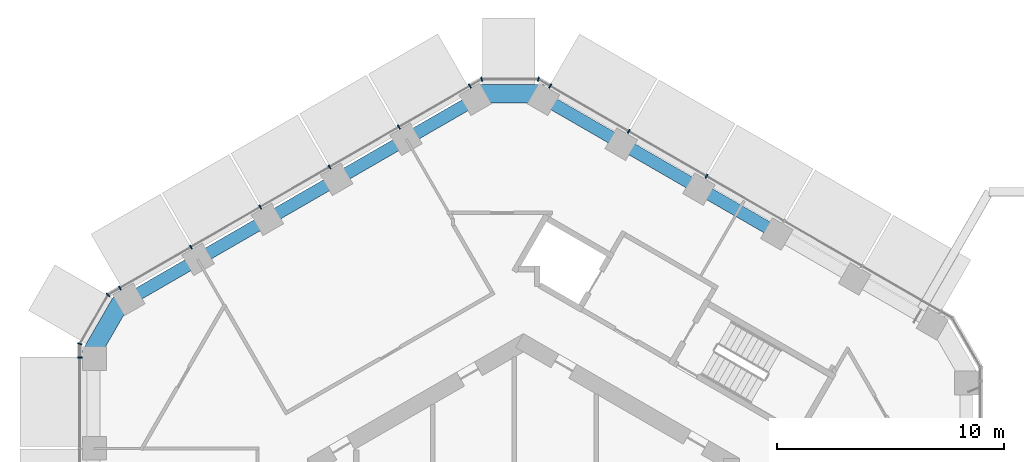
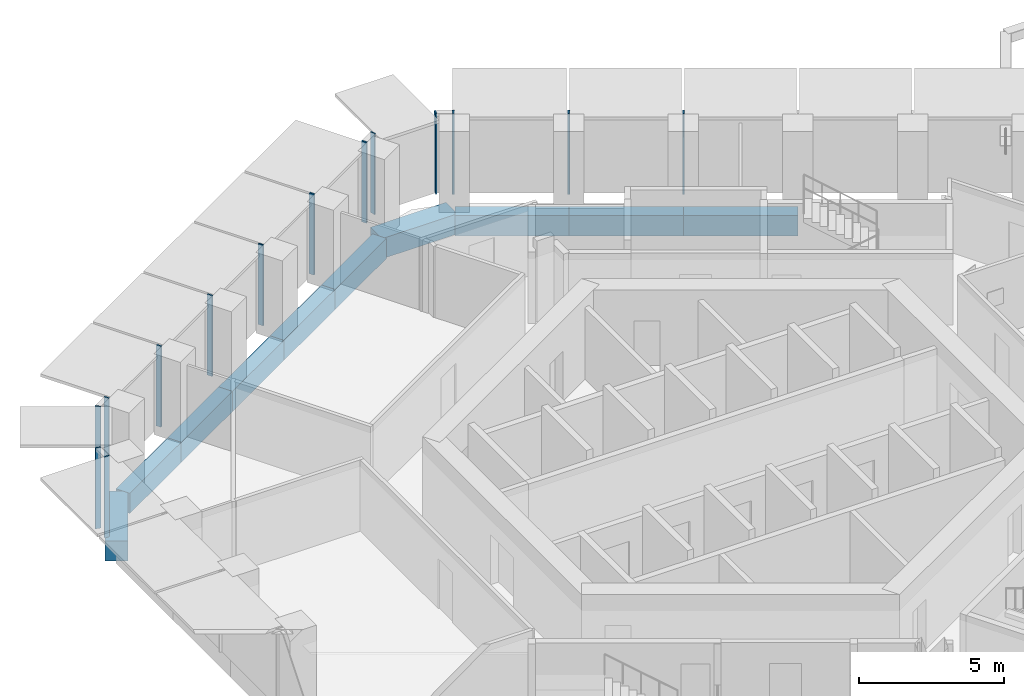
# One storey, part 6 of 21: 14 members, 10 beams, 5 elements without a shape of their own.
"""IFC4 building model written with IfcOpenShell, lengths in metres."""

from ifc_helpers import new_model, si_unit, direction, frame, origin, origin_2d, place, context, subcontext, project, spatial, rectangle, extrude, material, layer, layer_set, material_profile, profile_set, type_object, element, aggregate, save


model = new_model("IFC4")

# Units and contexts
model_context = context("Model", 3, precision=1e-05, world=origin(), true_north=direction((0.0, 1.0)))
body_context = subcontext(model_context, "Body", "Model", "MODEL_VIEW")
ifc_project = project(units=[si_unit("LENGTHUNIT", "METRE"), si_unit("AREAUNIT", "SQUARE_METRE"), si_unit("VOLUMEUNIT", "CUBIC_METRE"), si_unit("PLANEANGLEUNIT", "RADIAN"), si_unit("MASSUNIT", "GRAM", prefix="KILO")], contexts=[model_context])

# Site, building, storey
site_placement = place(None, origin())
site = spatial("IfcSite", under=ifc_project, at=site_placement, CompositionType="ELEMENT")
building_placement = place(site_placement, origin())
building = spatial("IfcBuilding", under=site, at=building_placement, Name="Ayvan Gate Tower", CompositionType="ELEMENT")
storey_placement = place(building_placement, frame((0.0, 0.0, 117.10009765625)))
storey = spatial("IfcBuildingStorey", under=building, at=storey_placement, Name="L31", CompositionType="ELEMENT", Elevation=117.10009765625)

# Beams
ifc_material_1 = material(Name="Concrete C40/50", Category="concrete")
ifc_material_profile_1 = material_profile(ifc_material_1, rectangle(XDim=0.800048828125, YDim=0.85009765625, at=origin_2d()), Name="RC 800x850")
ifc_profile_set_1 = profile_set([ifc_material_profile_1], Name="Concrete C40/50")
beam_type_1 = type_object("IfcBeamType", Name="Corner spandrel beam RC 800x850 C40/50", PredefinedType="BEAM", material=ifc_profile_set_1)
beam_1_placement = place(storey_placement, frame((0.920166015625, 21.51904296875, -0.775146484375), z_axis=(-1.0, 0.0, 0.0), x_axis=(0.0, -1.0, 0.0)))
element("IfcBeam", 1, at=beam_1_placement, inside=storey, type_object=beam_type_1, Name="SB-L31-12", PredefinedType="BEAM", context=body_context, shape_type="SweptSolid", body=[
    extrude(rectangle(XDim=0.800048828125, YDim=0.85009765625, at=origin_2d()), origin(), (0.0, 0.0, 1.0), 3.0),
])
beam_2_placement = place(storey_placement, frame((-17.59619140625, 12.560791015625, -0.775146484375), z_axis=(-0.50002537861, -0.866010750942, 0.0), x_axis=(0.866010750942, -0.50002537861, 0.0)))
element("IfcBeam", 2, at=beam_2_placement, inside=storey, type_object=beam_type_1, Name="SB-L31-18", PredefinedType="BEAM", context=body_context, shape_type="SweptSolid", body=[
    extrude(rectangle(XDim=0.800048828125, YDim=0.85009765625, at=origin_2d()), origin(), (0.0, 0.0, 1.0), 2.999755859375),
])
ifc_material_profile_2 = material_profile(ifc_material_1, rectangle(XDim=0.550048828125, YDim=0.85009765625, at=origin_2d()), Name="RC 550x850")
ifc_profile_set_2 = profile_set([ifc_material_profile_2], Name="Concrete C40/50")
beam_type_2 = type_object("IfcBeamType", Name="Spandrel beam RC 550x850 C40/50", PredefinedType="BEAM", material=ifc_profile_set_2)
for number, where, z_axis, x_axis, name in (
    (3, (11.159423828125, 15.387451171875, -0.775146484375), (-0.866034973562, 0.499983424293, 0.0), (-0.499983424293, -0.866034973562, 0.0), "SB-L31-9"),
    (4, (7.746337890625, 17.35791015625, -0.775146484375), (-0.866008149408, 0.500029884265, 0.0), (-0.500029884265, -0.866008149408, 0.0), "SB-L31-10"),
    (5, (4.333251953125, 19.32861328125, -0.775146484375), (-0.866034973562, 0.499983424293, 0.0), (-0.499983424293, -0.866034973562, 0.0), "SB-L31-11"),
):
    element("IfcBeam", number, at=place(storey_placement, frame(where, z_axis=z_axis, x_axis=x_axis)), inside=storey, type_object=beam_type_2, Name=name, PredefinedType="BEAM", context=body_context, shape_type="SweptSolid", body=[
        extrude(rectangle(XDim=0.550048828125, YDim=0.85009765625, at=origin_2d()), origin(), (0.0, 0.0, 1.0), 3.941162109375),
    ])
for number, where, z_axis, x_axis, name in (
    (6, (-2.079833984375, 21.299072265625, -0.775146484375), (-0.866044299327, -0.499967270532, 0.0), (0.499967270532, -0.866044299327, 0.0), "SB-L31-13"),
    (7, (-5.14501953125, 19.529541015625, -0.775146484375), (-0.866014430886, -0.500019005137, 0.0), (0.500019005137, -0.866014430886, 0.0), "SB-L31-14"),
    (8, (-8.210205078125, 17.759765625, -0.775146484375), (-0.866044299327, -0.499967270532, 0.0), (0.499967270532, -0.866044299327, 0.0), "SB-L31-15"),
    (9, (-11.275390625, 15.990234375, -0.775146484375), (-0.866014430886, -0.500019005137, 0.0), (0.500019005137, -0.866014430886, 0.0), "SB-L31-16"),
):
    element("IfcBeam", number, at=place(storey_placement, frame(where, z_axis=z_axis, x_axis=x_axis)), inside=storey, type_object=beam_type_2, Name=name, PredefinedType="BEAM", context=body_context, shape_type="SweptSolid", body=[
        extrude(rectangle(XDim=0.550048828125, YDim=0.85009765625, at=origin_2d()), origin(), (0.0, 0.0, 1.0), 3.539306640625),
    ])
beam_3_placement = place(storey_placement, frame((-14.340576171875, 14.220458984375, -0.775146484375), z_axis=(-0.866027055032, -0.499997139945, 0.0), x_axis=(0.499997139945, -0.866027055032, 0.0)))
element("IfcBeam", 10, at=beam_3_placement, inside=storey, type_object=beam_type_2, Name="SB-L31-17", PredefinedType="BEAM", context=body_context, shape_type="SweptSolid", body=[
    extrude(rectangle(XDim=0.550048828125, YDim=0.85009765625, at=origin_2d()), origin(), (0.0, 0.0, 1.0), 3.5390625),
])

# Curtain wall, members
ifc_material_2 = material(Name="Bronze anodised aluminium", Category="aluminium")
ifc_layer_1 = layer(ifc_material_2, 0.199951171875)
ifc_layer_set_1 = layer_set([ifc_layer_1], Name="Bronze anodised aluminium")
curtain_wall_type_1 = type_object("IfcCurtainWallType", Name="Stick curtain wall CW-1", PredefinedType="NOTDEFINED", material=ifc_layer_set_1)
curtain_wall_1_placement = place(storey_placement, origin())
curtain_wall_1 = element("IfcCurtainWall", 11, at=curtain_wall_1_placement, inside=storey, type_object=curtain_wall_type_1, Name="Stick curtain wall CW-1 L31", PredefinedType="NOTDEFINED")
ifc_material_profile_3 = material_profile(ifc_material_2, rectangle(XDim=0.199951171875, YDim=0.06005859375, at=origin_2d()), Name="Stick curtain wall CW-1 mullion 200 x 60")
ifc_profile_set_3 = profile_set([ifc_material_profile_3], Name="Bronze anodised aluminium")
member_type_1 = type_object("IfcMemberType", Name="Stick curtain wall CW-1 mullion 200 x 60", PredefinedType="MULLION", material=ifc_profile_set_3)
member_1_placement = place(storey_placement, frame((-2.360595703125, 21.858642578125, 0.0), z_axis=(0.0, 0.0, 1.0), x_axis=(-0.5, 0.866025403784, 0.0)))
member_1 = element("IfcMember", 12, at=member_1_placement, type_object=member_type_1, Name="CW-1 mullion 1", PredefinedType="MULLION", context=body_context, shape_type="SweptSolid", body=[
    extrude(rectangle(XDim=0.199951171875, YDim=0.06005859375, at=origin_2d()), origin(), (0.0, 0.0, 1.0), 3.39990234375),
])
member_2_placement = place(storey_placement, frame((-5.483642578125, 20.0556640625, 0.0), z_axis=(0.0, 0.0, 1.0), x_axis=(-0.5, 0.866025403784, 0.0)))
member_2 = element("IfcMember", 13, at=member_2_placement, type_object=member_type_1, Name="CW-1 mullion 2", PredefinedType="MULLION", context=body_context, shape_type="SweptSolid", body=[
    extrude(rectangle(XDim=0.199951171875, YDim=0.06005859375, at=origin_2d()), origin(), (0.0, 0.0, 1.0), 3.39990234375),
])
member_3_placement = place(storey_placement, frame((-8.531005859375, 18.296142578125, 0.0), z_axis=(0.0, 0.0, 1.0), x_axis=(-0.5, 0.866025403784, 0.0)))
member_3 = element("IfcMember", 14, at=member_3_placement, type_object=member_type_1, Name="CW-1 mullion 3", PredefinedType="MULLION", context=body_context, shape_type="SweptSolid", body=[
    extrude(rectangle(XDim=0.199951171875, YDim=0.06005859375, at=origin_2d()), origin(), (0.0, 0.0, 1.0), 3.39990234375),
])
member_4_placement = place(storey_placement, frame((-11.57958984375, 16.5361328125, 0.0), z_axis=(0.0, 0.0, 1.0), x_axis=(-0.5, 0.866025403784, 0.0)))
member_4 = element("IfcMember", 15, at=member_4_placement, type_object=member_type_1, Name="CW-1 mullion 4", PredefinedType="MULLION", context=body_context, shape_type="SweptSolid", body=[
    extrude(rectangle(XDim=0.199951171875, YDim=0.06005859375, at=origin_2d()), origin(), (0.0, 0.0, 1.0), 3.39990234375),
])
member_5_placement = place(storey_placement, frame((-14.627197265625, 14.77685546875, 0.0), z_axis=(0.0, 0.0, 1.0), x_axis=(-0.5, 0.866025403784, 0.0)))
member_5 = element("IfcMember", 16, at=member_5_placement, type_object=member_type_1, Name="CW-1 mullion 5", PredefinedType="MULLION", context=body_context, shape_type="SweptSolid", body=[
    extrude(rectangle(XDim=0.199951171875, YDim=0.06005859375, at=origin_2d()), origin(), (0.0, 0.0, 1.0), 3.39990234375),
])
member_6_placement = place(storey_placement, frame((-17.749755859375, 12.973876953125, 0.0), z_axis=(0.0, 0.0, 1.0), x_axis=(-0.5, 0.866025403784, 0.0)))
member_6 = element("IfcMember", 17, at=member_6_placement, type_object=member_type_1, Name="CW-1 mullion 6", PredefinedType="MULLION", context=body_context, shape_type="SweptSolid", body=[
    extrude(rectangle(XDim=0.199951171875, YDim=0.06005859375, at=origin_2d()), origin(), (0.0, 0.0, 1.0), 3.39990234375),
])
aggregate(curtain_wall_1, [member_1, member_2, member_3, member_4, member_5, member_6])

# Curtain wall, member
curtain_wall_2_placement = place(storey_placement, origin())
curtain_wall_2 = element("IfcCurtainWall", 18, at=curtain_wall_2_placement, inside=storey, type_object=curtain_wall_type_1, Name="Stick curtain wall CW-1 L31", PredefinedType="NOTDEFINED")
member_7_placement = place(storey_placement, frame((-19.51708984375, 9.912841796875, 0.0), z_axis=(0.0, 0.0, 1.0), x_axis=(-1.0, 0.0, 0.0)))
member_7 = element("IfcMember", 19, at=member_7_placement, type_object=member_type_1, Name="CW-1 mullion 1", PredefinedType="MULLION", context=body_context, shape_type="SweptSolid", body=[
    extrude(rectangle(XDim=0.199951171875, YDim=0.06005859375, at=origin_2d()), origin(), (0.0, 0.0, 1.0), 3.39990234375),
])
aggregate(curtain_wall_2, [member_7])

# Curtain wall, members
curtain_wall_3_placement = place(storey_placement, origin())
curtain_wall_3 = element("IfcCurtainWall", 20, at=curtain_wall_3_placement, inside=storey, type_object=curtain_wall_type_1, Name="Stick curtain wall CW-1 L31", PredefinedType="NOTDEFINED")
member_8_placement = place(storey_placement, frame((8.048095703125, 17.889892578125, 0.0), z_axis=(0.0, 0.0, 1.0), x_axis=(0.5, 0.866025403784, 0.0)))
member_8 = element("IfcMember", 21, at=member_8_placement, type_object=member_type_1, Name="CW-1 mullion 4", PredefinedType="MULLION", context=body_context, shape_type="SweptSolid", body=[
    extrude(rectangle(XDim=0.199951171875, YDim=0.06005859375, at=origin_2d()), origin(), (0.0, 0.0, 1.0), 3.39990234375),
])
member_9_placement = place(storey_placement, frame((4.62548828125, 19.865966796875, 0.0), z_axis=(0.0, 0.0, 1.0), x_axis=(0.5, 0.866025403784, 0.0)))
member_9 = element("IfcMember", 22, at=member_9_placement, type_object=member_type_1, Name="CW-1 mullion 5", PredefinedType="MULLION", context=body_context, shape_type="SweptSolid", body=[
    extrude(rectangle(XDim=0.199951171875, YDim=0.06005859375, at=origin_2d()), origin(), (0.0, 0.0, 1.0), 3.39990234375),
])
member_10_placement = place(storey_placement, frame((1.173828125, 21.858642578125, 0.0), z_axis=(0.0, 0.0, 1.0), x_axis=(0.5, 0.866025403784, 0.0)))
member_10 = element("IfcMember", 23, at=member_10_placement, type_object=member_type_1, Name="CW-1 mullion 6", PredefinedType="MULLION", context=body_context, shape_type="SweptSolid", body=[
    extrude(rectangle(XDim=0.199951171875, YDim=0.06005859375, at=origin_2d()), origin(), (0.0, 0.0, 1.0), 3.39990234375),
])
aggregate(curtain_wall_3, [member_8, member_9, member_10])

ifc_layer_2 = layer(ifc_material_2, 0.199951171875)
ifc_layer_set_2 = layer_set([ifc_layer_2], Name="Bronze anodised aluminium")
curtain_wall_type_2 = type_object("IfcCurtainWallType", Name="Stick curtain wall CW-6", PredefinedType="NOTDEFINED", material=ifc_layer_set_2)
curtain_wall_4_placement = place(storey_placement, origin())
curtain_wall_4 = element("IfcCurtainWall", 24, at=curtain_wall_4_placement, inside=storey, type_object=curtain_wall_type_2, Name="Stick curtain wall CW-6 L31", PredefinedType="NOTDEFINED")
ifc_material_profile_4 = material_profile(ifc_material_2, rectangle(XDim=0.199951171875, YDim=0.050048828125, at=origin_2d()), Name="Stick curtain wall CW-6 mullion 200 x 50")
ifc_profile_set_4 = profile_set([ifc_material_profile_4], Name="Bronze anodised aluminium")
member_type_2 = type_object("IfcMemberType", Name="Stick curtain wall CW-6 mullion 200 x 50", PredefinedType="MULLION", material=ifc_profile_set_4)
member_11_placement = place(storey_placement, frame((-18.27392578125, 12.67138671875, 0.0), z_axis=(0.0, 0.0, 1.0), x_axis=(-0.707106781187, 0.707106781187, 0.0)))
member_11 = element("IfcMember", 25, at=member_11_placement, type_object=member_type_2, Name="CW-6 mullion 2", PredefinedType="MULLION", context=body_context, shape_type="SweptSolid", body=[
    extrude(rectangle(XDim=0.199951171875, YDim=0.050048828125, at=origin_2d()), origin(), (0.0, 0.0, 1.0), 3.39990234375),
])
member_12_placement = place(storey_placement, frame((-19.51708984375, 10.517822265625, 0.0), z_axis=(0.0, 0.0, 1.0), x_axis=(-0.965925826289, 0.258819045103, 0.0)))
member_12 = element("IfcMember", 26, at=member_12_placement, type_object=member_type_2, Name="CW-6 mullion 3", PredefinedType="MULLION", context=body_context, shape_type="SweptSolid", body=[
    extrude(rectangle(XDim=0.199951171875, YDim=0.050048828125, at=origin_2d()), origin(), (0.0, 0.0, 1.0), 3.39990234375),
])
aggregate(curtain_wall_4, [member_11, member_12])

curtain_wall_5_placement = place(storey_placement, origin())
curtain_wall_5 = element("IfcCurtainWall", 27, at=curtain_wall_5_placement, inside=storey, type_object=curtain_wall_type_2, Name="Stick curtain wall CW-6 L31", PredefinedType="NOTDEFINED")
member_13_placement = place(storey_placement, frame((0.64990234375, 22.1611328125, 0.0), z_axis=(0.0, 0.0, 1.0), x_axis=(0.258819045103, 0.965925826289, 0.0)))
member_13 = element("IfcMember", 28, at=member_13_placement, type_object=member_type_2, Name="CW-6 mullion 2", PredefinedType="MULLION", context=body_context, shape_type="SweptSolid", body=[
    extrude(rectangle(XDim=0.199951171875, YDim=0.050048828125, at=origin_2d()), origin(), (0.0, 0.0, 1.0), 3.39990234375),
])
member_14_placement = place(storey_placement, frame((-1.836669921875, 22.1611328125, 0.0), z_axis=(0.0, 0.0, 1.0), x_axis=(-0.258819045103, 0.965925826289, 0.0)))
member_14 = element("IfcMember", 29, at=member_14_placement, type_object=member_type_2, Name="CW-6 mullion 3", PredefinedType="MULLION", context=body_context, shape_type="SweptSolid", body=[
    extrude(rectangle(XDim=0.199951171875, YDim=0.050048828125, at=origin_2d()), origin(), (0.0, 0.0, 1.0), 3.39990234375),
])
aggregate(curtain_wall_5, [member_13, member_14])

save(model, "model.ifc")
